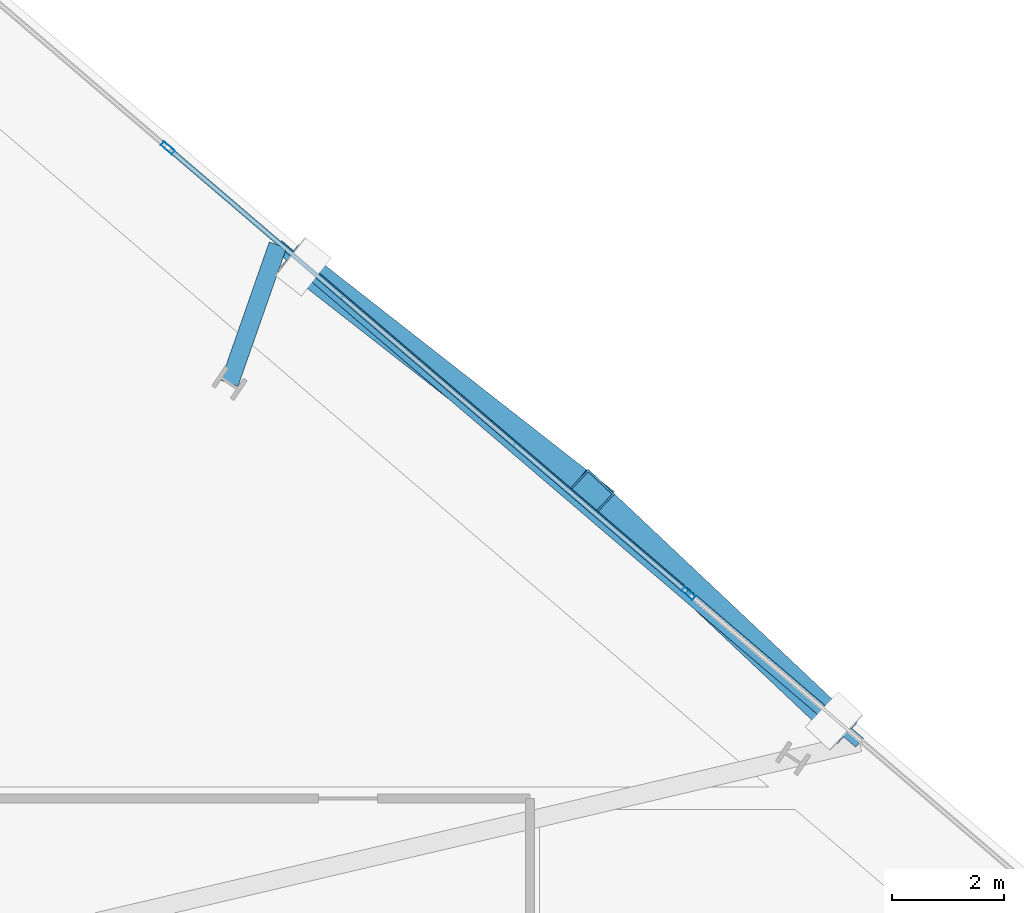
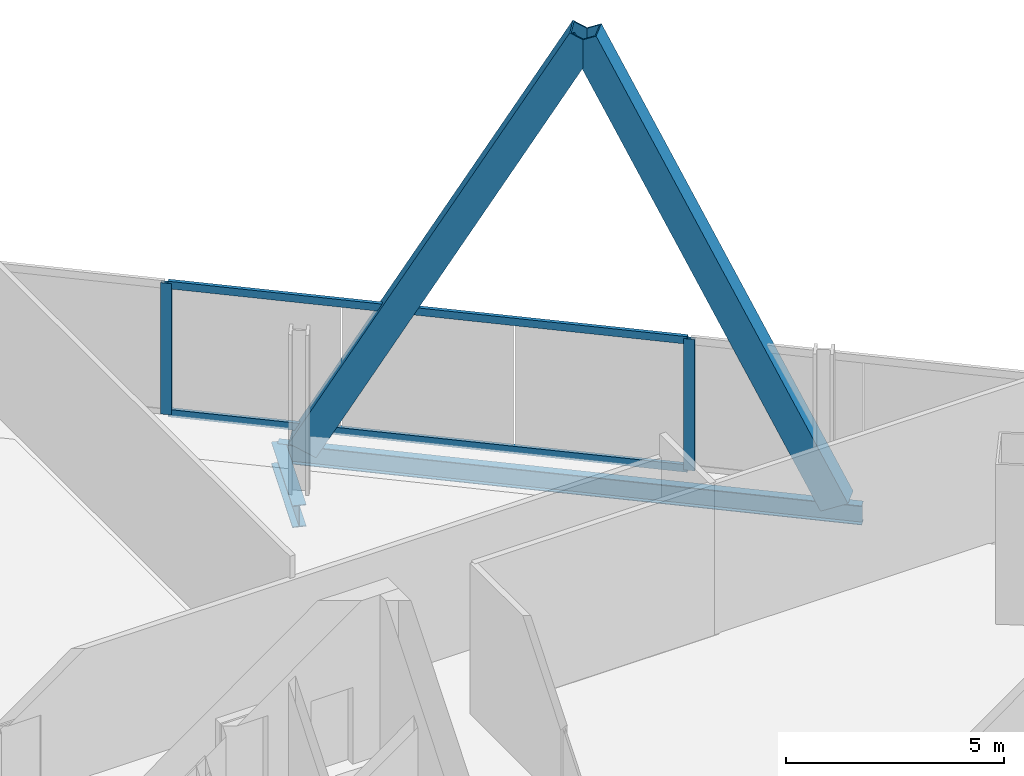
# One storey, part 15 of 26: 6 members, 2 beams, 1 element without a shape of its own.
"""IFC4 building model written with IfcOpenShell, lengths in metres."""

from ifc_helpers import new_model, si_unit, direction, frame, origin, origin_2d, place, context, subcontext, project, spatial, hollow_rectangle, i_section, extrude, material, material_profile, profile_set, type_object, element, aggregate, save


model = new_model("IFC4")

# Units and contexts
model_context = context("Model", 3, precision=1e-05, world=origin(), true_north=direction((0.0, 1.0)))
body_context = subcontext(model_context, "Body", "Model", "MODEL_VIEW")
ifc_project = project(units=[si_unit("LENGTHUNIT", "METRE"), si_unit("AREAUNIT", "SQUARE_METRE"), si_unit("VOLUMEUNIT", "CUBIC_METRE"), si_unit("PLANEANGLEUNIT", "RADIAN"), si_unit("MASSUNIT", "GRAM", prefix="KILO")], contexts=[model_context])

# Site, building, storey
site_placement = place(None, origin())
site = spatial("IfcSite", under=ifc_project, at=site_placement, CompositionType="ELEMENT")
building_placement = place(site_placement, origin())
building = spatial("IfcBuilding", under=site, at=building_placement, Name="Haldenkirk Collegiate Tower", CompositionType="ELEMENT")
storey_placement = place(building_placement, frame((0.0, 0.0, 193.949951171875)))
storey = spatial("IfcBuildingStorey", under=building, at=storey_placement, Name="L48", CompositionType="ELEMENT", Elevation=193.949951171875)

# Beams
ifc_material_1 = material(Name="Steel ASTM A992 Grade 50", Category="steel")
ifc_material_profile_1 = material_profile(ifc_material_1, i_section(OverallWidth=0.324951171875, OverallDepth=0.615966796875, WebThickness=0.013916015625, FlangeThickness=0.021484375, at=origin_2d()), Name="W24X117")
ifc_profile_set_1 = profile_set([ifc_material_profile_1], Name="Steel ASTM A992 Grade 50")
beam_type_1 = type_object("IfcBeamType", Name="BM-GIRDER-W24X117", PredefinedType="BEAM", material=ifc_profile_set_1)
beam_1_placement = place(storey_placement, frame((48.447509765625, 43.84228515625, -0.718017578125), z_axis=(0.330571433408, 0.943780974281, 0.0), x_axis=(-0.943780974281, 0.330571433408, 0.0)))
element("IfcBeam", 1, at=beam_1_placement, inside=storey, type_object=beam_type_1, Name="L48 facade lookout girder 09", PredefinedType="BEAM", context=body_context, shape_type="SweptSolid", body=[
    extrude(i_section(OverallWidth=0.324951171875, OverallDepth=0.615966796875, WebThickness=0.013916015625, FlangeThickness=0.021484375, at=origin_2d()), origin(), (0.0, 0.0, 1.0), 2.60791015625),
])
ifc_material_profile_2 = material_profile(ifc_material_1, i_section(OverallWidth=0.2099609375, OverallDepth=0.537109375, WebThickness=0.010986328125, FlangeThickness=0.017333984375, at=origin_2d()), Name="W21X68")
ifc_profile_set_2 = profile_set([ifc_material_profile_2], Name="Steel ASTM A992 Grade 50")
beam_type_2 = type_object("IfcBeamType", Name="BM-SPANDREL-W21X68", PredefinedType="SPANDREL", material=ifc_profile_set_2)
beam_2_placement = place(storey_placement, frame((59.666748046875, 37.44189453125, -0.678466796875), z_axis=(-0.75983661558, 0.650114080469, 0.0), x_axis=(-0.650114080469, -0.75983661558, 0.0)))
element("IfcBeam", 2, at=beam_2_placement, inside=storey, type_object=beam_type_2, Name="L48 outer facade edge beam 2", PredefinedType="SPANDREL", context=body_context, shape_type="SweptSolid", body=[
    extrude(i_section(OverallWidth=0.2099609375, OverallDepth=0.537109375, WebThickness=0.010986328125, FlangeThickness=0.017333984375, at=origin_2d()), origin(), (0.0, 0.0, 1.0), 13.630859375),
])

# Curtain wall, members
ifc_material_2 = material(Name="Anodised architectural bronze aluminium", Category="aluminium")
curtain_wall_type = type_object("IfcCurtainWallType", Name="CW-SYS4-SKYGARDEN", PredefinedType="USERDEFINED", material=ifc_material_2)
curtain_wall_placement = place(storey_placement, origin())
curtain_wall = element("IfcCurtainWall", 3, at=curtain_wall_placement, inside=storey, type_object=curtain_wall_type, Name="L48 Sky-garden tall bronze curtain wall", ObjectType="UNITISED CURTAIN WALL", PredefinedType="USERDEFINED")
ifc_material_profile_3 = material_profile(ifc_material_2, hollow_rectangle(XDim=0.090087890625, YDim=0.260009765625, WallThickness=0.0048828125, at=origin_2d()), Name="CW-MUL-04")
ifc_profile_set_3 = profile_set([ifc_material_profile_3], Name="Anodised architectural bronze aluminium")
member_type_1 = type_object("IfcMemberType", Name="CW-MUL-04", PredefinedType="MULLION", material=ifc_profile_set_3)
member_1_placement = place(storey_placement, frame((47.349609375, 48.032958984375, 0.0), z_axis=(0.0, 0.0, 1.0), x_axis=(0.650113163613, 0.759837400038, 0.0)))
member_1 = element("IfcMember", 4, at=member_1_placement, type_object=member_type_1, Name="CW-04 mullion 2", PredefinedType="MULLION", context=body_context, shape_type="SweptSolid", body=[
    extrude(hollow_rectangle(XDim=0.090087890625, YDim=0.260009765625, WallThickness=0.0048828125, at=origin_2d()), origin(), (0.0, 0.0, 1.0), 3.677978515625),
])
member_2_placement = place(storey_placement, frame((56.61962890625, 40.1015625, 0.0), z_axis=(0.0, 0.0, 1.0), x_axis=(0.650113163613, 0.759837400038, 0.0)))
member_2 = element("IfcMember", 5, at=member_2_placement, type_object=member_type_1, Name="CW-04 mullion 3", PredefinedType="MULLION", context=body_context, shape_type="SweptSolid", body=[
    extrude(hollow_rectangle(XDim=0.090087890625, YDim=0.260009765625, WallThickness=0.0048828125, at=origin_2d()), origin(), (0.0, 0.0, 1.0), 3.677978515625),
])
ifc_material_profile_4 = material_profile(ifc_material_2, hollow_rectangle(XDim=0.090087890625, YDim=0.2099609375, WallThickness=0.0048828125, at=origin_2d()), Name="CW-TRN-04")
ifc_profile_set_4 = profile_set([ifc_material_profile_4], Name="Anodised architectural bronze aluminium")
member_type_2 = type_object("IfcMemberType", Name="CW-TRN-04", PredefinedType="USERDEFINED", material=ifc_profile_set_4)
member_3_placement = place(storey_placement, frame((47.3837890625, 48.003662109375, 0.045166015625), z_axis=(0.759841181209, -0.650108744241, 0.0), x_axis=(0.650108744241, 0.759841181209, 0.0)))
member_3 = element("IfcMember", 6, at=member_3_placement, type_object=member_type_2, Name="CW-04 transom 2.1", ObjectType="TRANSOM", PredefinedType="USERDEFINED", context=body_context, shape_type="SweptSolid", body=[
    extrude(hollow_rectangle(XDim=0.090087890625, YDim=0.2099609375, WallThickness=0.0048828125, at=origin_2d()), origin(), (0.0, 0.0, 1.0), 12.10986328125),
])
member_4_placement = place(storey_placement, frame((47.3837890625, 48.003662109375, 3.633056640625), z_axis=(0.759841181209, -0.650108744241, 0.0), x_axis=(0.650108744241, 0.759841181209, 0.0)))
member_4 = element("IfcMember", 7, at=member_4_placement, type_object=member_type_2, Name="CW-04 transom 2.2", ObjectType="TRANSOM", PredefinedType="USERDEFINED", context=body_context, shape_type="SweptSolid", body=[
    extrude(hollow_rectangle(XDim=0.090087890625, YDim=0.2099609375, WallThickness=0.0048828125, at=origin_2d()), origin(), (0.0, 0.0, 1.0), 12.10986328125),
])
aggregate(curtain_wall, [member_1, member_2, member_3, member_4])

# Members
ifc_material_3 = material(Name="Steel ASTM A572 Grade 50", Category="steel")
ifc_material_profile_5 = material_profile(ifc_material_3, hollow_rectangle(XDim=0.52001953125, YDim=0.719970703125, WallThickness=0.035888671875, at=origin_2d()), Name="BOX720X520X36")
ifc_profile_set_5 = profile_set([ifc_material_profile_5], Name="Steel ASTM A572 Grade 50")
member_type_3 = type_object("IfcMemberType", Name="MBR-MEGABRACE-BOX720X520X36", PredefinedType="BRACE", material=ifc_profile_set_5)
member_5_placement = place(storey_placement, frame((59.2109375, 37.831787109375, -0.419921875), z_axis=(-0.319785759642, 0.301471480214, 0.89824941667), x_axis=(-0.685963712194, -0.727635750602, 0.0)))
element("IfcMember", 8, at=member_5_placement, inside=storey, type_object=member_type_3, Name="Perimeter Mega Brace Z4 L48-L50 EL", PredefinedType="BRACE", context=body_context, shape_type="SweptSolid", body=[
    extrude(hollow_rectangle(XDim=0.52001953125, YDim=0.719970703125, WallThickness=0.035888671875, at=origin_2d()), origin(), (0.0, 0.0, 1.0), 13.50390625),
])
member_6_placement = place(storey_placement, frame((49.765380859375, 45.913330078125, -0.419921875), z_axis=(0.372450187169, -0.291330852085, 0.881139712362), x_axis=(0.616109016705, 0.787660891205, 0.0)))
element("IfcMember", 9, at=member_6_placement, inside=storey, type_object=member_type_3, Name="Perimeter Mega Brace Z4 L48-L50 ER", PredefinedType="BRACE", context=body_context, shape_type="SweptSolid", body=[
    extrude(hollow_rectangle(XDim=0.52001953125, YDim=0.719970703125, WallThickness=0.035888671875, at=origin_2d()), origin(), (0.0, 0.0, 1.0), 13.76611328125),
])

save(model, "model.ifc")
